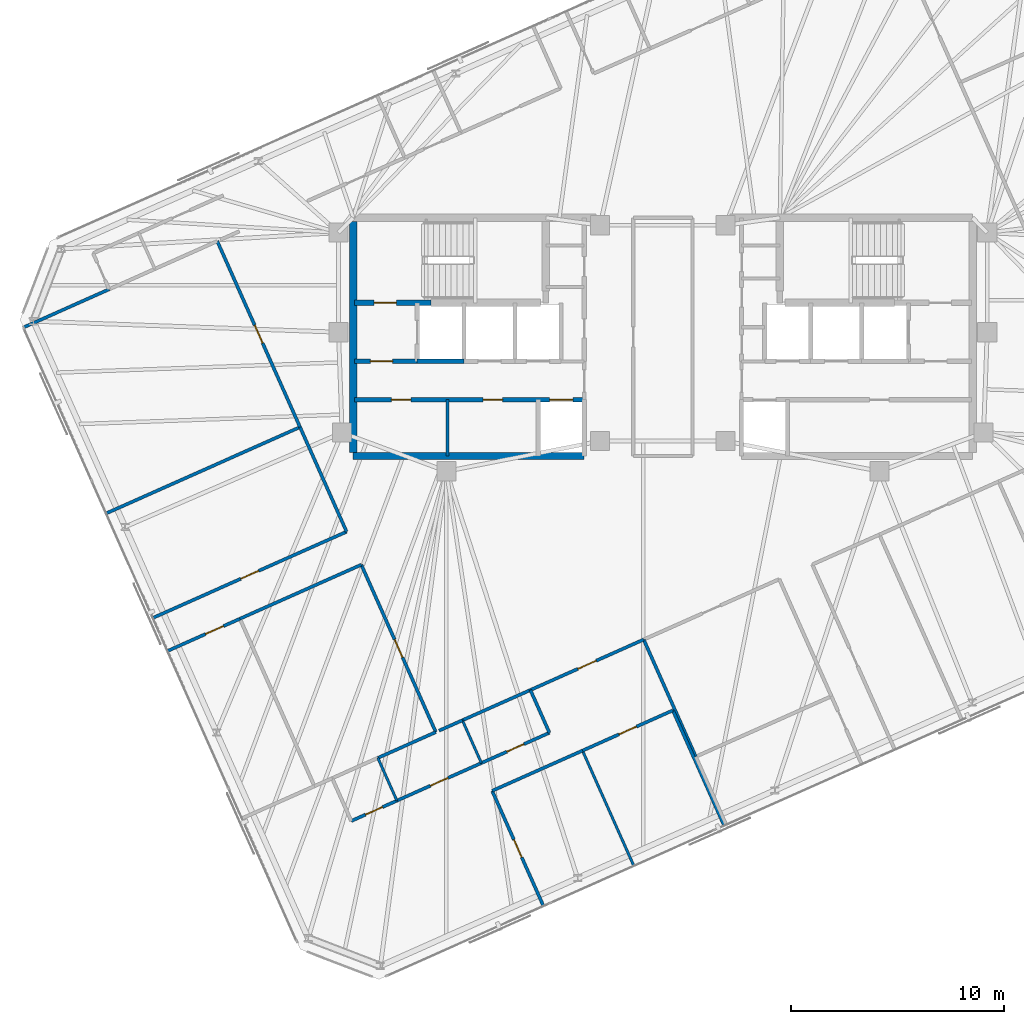
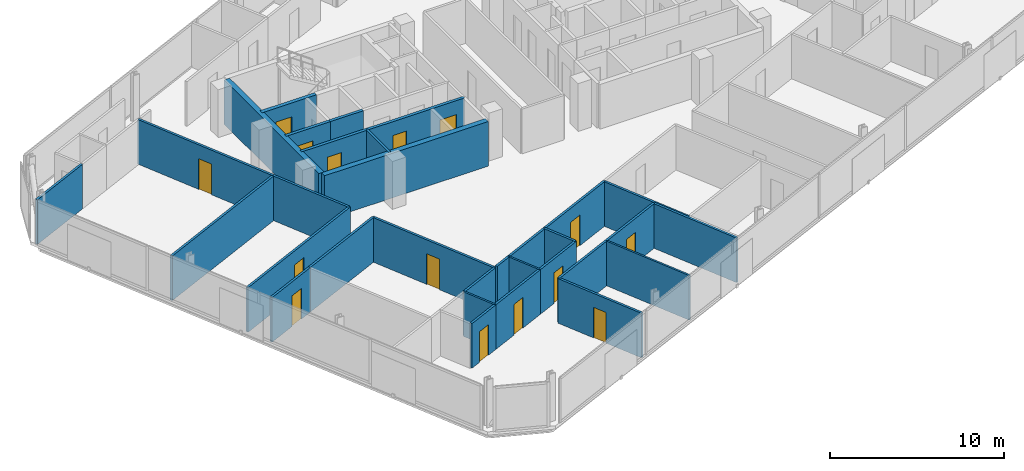
# One storey, part 13 of 18: 31 walls, 15 doors, 15 openings.
"""IFC4 building model written with IfcOpenShell, lengths in metres."""

from ifc_helpers import new_model, si_unit, direction, frame, frame_2d, origin, place, context, subcontext, project, spatial, rectangle, extrude, material, layer, layer_set, type_object, element, fill, save


model = new_model("IFC4")

# Units and contexts
model_context = context("Model", 3, precision=1e-05, world=origin(), true_north=direction((0.0, 1.0)))
body_context = subcontext(model_context, "Body", "Model", "MODEL_VIEW")
ifc_project = project(units=[si_unit("LENGTHUNIT", "METRE"), si_unit("AREAUNIT", "SQUARE_METRE"), si_unit("VOLUMEUNIT", "CUBIC_METRE"), si_unit("PLANEANGLEUNIT", "RADIAN"), si_unit("MASSUNIT", "GRAM", prefix="KILO")], contexts=[model_context])

# Site, building, storey
site_placement = place(None, origin())
site = spatial("IfcSite", under=ifc_project, at=site_placement, CompositionType="ELEMENT")
building_placement = place(site_placement, origin())
building = spatial("IfcBuilding", under=site, at=building_placement, Name="Menara Jurai Vektor", CompositionType="ELEMENT")
storey_placement = place(building_placement, frame((0.0, 0.0, 298.64990234375)))
storey = spatial("IfcBuildingStorey", under=building, at=storey_placement, Name="L80", CompositionType="ELEMENT", Elevation=298.64990234375)

# Wall, opening, door
ifc_material_1 = material(Name="Concrete C40/50", Category="concrete")
ifc_layer_1 = layer(ifc_material_1, 0.25)
ifc_layer_set_1 = layer_set([ifc_layer_1], Name="Concrete C40/50")
wall_type_1 = type_object("IfcWallType", Name="INT-WALL-CORE-250", PredefinedType="STANDARD", material=ifc_layer_set_1)
wall_1_placement = place(storey_placement, frame((-14.5, 1.60009765625, 0.0), z_axis=(0.0, 0.0, 1.0), x_axis=(1.0, 0.0, 0.0)))
wall_1 = element("IfcWall", 1, at=wall_1_placement, inside=storey, type_object=wall_type_1, Name="Interior Wall IW-250 L80", PredefinedType="STANDARD", context=body_context, shape_type="SweptSolid", body=[
    extrude(rectangle(XDim=3.60009765625, YDim=0.25, at=frame_2d((1.800048828125, 0.0))), origin(), (0.0, 0.0, 1.0), 3.125),
])
opening_1_placement = place(wall_1_placement, frame((0.919921875, 0.0, 0.0)))
opening_1 = element("IfcOpeningElement", 2, at=opening_1_placement, cuts=wall_1, Name="Opening D-L80-ST1", PredefinedType="OPENING", context=body_context, shape_type="SweptSolid", body=[
    extrude(rectangle(XDim=1.050048828125, YDim=2.14990234375, at=frame_2d((0.52490234375, 1.074951171875))), frame((0.0, 0.135009765625, 0.0), z_axis=(0.0, -1.0, 0.0), x_axis=(1.0, 0.0, 0.0)), (0.0, 0.0, 1.0), 0.27001953125),
])
ifc_material_2 = material(Name="Fire-Rated Steel Door", Category="steel")
door_type_1 = type_object("IfcDoorType", Name="DR-STAIR-1050", OperationType="NOTDEFINED", PredefinedType="DOOR", material=ifc_material_2)
door_1_placement = place(opening_1_placement, origin())
door_1 = element("IfcDoor", 3, at=door_1_placement, inside=storey, type_object=door_type_1, Name="Exit Stair ST1 Door L80", OperationType="SINGLE_SWING_RIGHT", OverallHeight=2.14990234375, OverallWidth=1.050048828125, PredefinedType="DOOR", context=body_context, shape_type="SweptSolid", body=[
    extrude(rectangle(XDim=1.050048828125, YDim=2.14990234375, at=frame_2d((0.52490234375, 1.074951171875))), frame((0.0, 0.02490234375, 0.0), z_axis=(0.0, -1.0, 0.0), x_axis=(1.0, 0.0, 0.0)), (0.0, 0.0, 1.0), 0.050048828125),
])
fill(opening_1, door_1)

wall_2_placement = place(storey_placement, frame((-14.5, -1.14990234375, 0.0), z_axis=(0.0, 0.0, 1.0), x_axis=(1.0, 0.0, 0.0)))
wall_2 = element("IfcWall", 4, at=wall_2_placement, inside=storey, type_object=wall_type_1, Name="Interior Wall IW-250 L80", PredefinedType="STANDARD", context=body_context, shape_type="SweptSolid", body=[
    extrude(rectangle(XDim=2.949951171875, YDim=0.199951171875, at=frame_2d((1.47509765625, 0.0))), origin(), (0.0, 0.0, 1.0), 3.125),
])
opening_2_placement = place(wall_2_placement, frame((0.75, 0.0, 0.0)))
opening_2 = element("IfcOpeningElement", 5, at=opening_2_placement, cuts=wall_2, Name="Opening D-L80-FFW", PredefinedType="OPENING", context=body_context, shape_type="SweptSolid", body=[
    extrude(rectangle(XDim=1.050048828125, YDim=2.179931640625, at=frame_2d((0.52490234375, 1.08984375))), frame((0.0, 0.10986328125, 0.0), z_axis=(0.0, -1.0, 0.0), x_axis=(1.0, 0.0, 0.0)), (0.0, 0.0, 1.0), 0.219970703125),
])
ifc_material_3 = material(Name="Fire-Rated Timber Door", Category="wood")
door_type_2 = type_object("IfcDoorType", Name="DR-LOBBY-1050", OperationType="NOTDEFINED", PredefinedType="DOOR", material=ifc_material_3)
door_2_placement = place(opening_2_placement, origin())
door_2 = element("IfcDoor", 6, at=door_2_placement, inside=storey, type_object=door_type_2, Name="Fire Lift Lobby Door W L80", OperationType="SINGLE_SWING_RIGHT", OverallHeight=2.179931640625, OverallWidth=1.050048828125, PredefinedType="DOOR", context=body_context, shape_type="SweptSolid", body=[
    extrude(rectangle(XDim=1.050048828125, YDim=2.179931640625, at=frame_2d((0.52490234375, 1.08984375))), frame((0.0, 0.02490234375, 0.0), z_axis=(0.0, -1.0, 0.0), x_axis=(1.0, 0.0, 0.0)), (0.0, 0.0, 1.0), 0.050048828125),
])
fill(opening_2, door_2)

# Walls
wall_3_placement = place(storey_placement, frame((-11.550048828125, -1.14990234375, 0.0), z_axis=(0.0, 0.0, 1.0), x_axis=(1.0, 0.0, 0.0)))
element("IfcWall", 7, at=wall_3_placement, inside=storey, type_object=wall_type_1, Name="Interior Wall IW-250 L80", PredefinedType="STANDARD", context=body_context, shape_type="SweptSolid", body=[
    extrude(rectangle(XDim=2.199951171875, YDim=0.199951171875, at=frame_2d((1.10009765625, 0.0))), origin(), (0.0, 0.0, 1.0), 3.125),
])
ifc_material_4 = material(Name="Gypsum Fireboard Partition", Category="gypsum")
ifc_layer_2 = layer(ifc_material_4, 0.14990234375)
ifc_layer_set_2 = layer_set([ifc_layer_2], Name="Gypsum Fireboard Partition")
wall_type_2 = type_object("IfcWallType", Name="INT-WALL-CORR-150", PredefinedType="PARTITIONING", material=ifc_layer_set_2)
wall_4_placement = place(storey_placement, frame((-10.1201171875, -5.60009765625, 0.0), z_axis=(0.0, 0.0, 1.0), x_axis=(0.0, 1.0, 0.0)))
element("IfcWall", 8, at=wall_4_placement, inside=storey, type_object=wall_type_2, Name="Interior Wall IW-150 L80", PredefinedType="PARTITIONING", context=body_context, shape_type="SweptSolid", body=[
    extrude(rectangle(XDim=2.650146484375, YDim=0.14990234375, at=frame_2d((1.3251953125, 0.0))), origin(), (0.0, 0.0, 1.0), 3.125),
])

# Wall, opening, door
wall_5_placement = place(storey_placement, frame((-6.228515625, -16.602294921875, 0.0), z_axis=(0.0, 0.0, 1.0), x_axis=(0.913550563391, 0.406725175183, 0.0)))
wall_5 = element("IfcWall", 9, at=wall_5_placement, inside=storey, type_object=wall_type_2, Name="Interior Wall IW-150 L80", PredefinedType="PARTITIONING", context=body_context, shape_type="SweptSolid", body=[
    extrude(rectangle(XDim=5.8291015625, YDim=0.14990234375, at=frame_2d((2.91455078125, 0.0))), origin(), (0.0, 0.0, 1.0), 3.125),
])
opening_3_placement = place(wall_5_placement, frame((2.439453125, 0.0, 0.0)))
opening_3 = element("IfcOpeningElement", 10, at=opening_3_placement, cuts=wall_5, Name="Opening D80-16", PredefinedType="OPENING", context=body_context, shape_type="SweptSolid", body=[
    extrude(rectangle(XDim=0.949951171875, YDim=2.14990234375, at=frame_2d((0.47509765625, 1.074951171875))), frame((0.0, 0.0849609375, 0.0), z_axis=(0.0, -1.0, 0.0), x_axis=(1.0, 0.0, 0.0)), (0.0, 0.0, 1.0), 0.169921875),
])
ifc_material_5 = material(Name="Solid Core Timber Fire Door", Category="wood")
door_type_3 = type_object("IfcDoorType", Name="DR-ENTRY-950", OperationType="NOTDEFINED", PredefinedType="DOOR", material=ifc_material_5)
door_3_placement = place(opening_3_placement, origin())
door_3 = element("IfcDoor", 11, at=door_3_placement, inside=storey, type_object=door_type_3, Name="Interior Door D80-16", OperationType="SINGLE_SWING_RIGHT", OverallHeight=2.14990234375, OverallWidth=0.949951171875, PredefinedType="DOOR", context=body_context, shape_type="SweptSolid", body=[
    extrude(rectangle(XDim=0.949951171875, YDim=2.14990234375, at=frame_2d((0.47509765625, 1.074951171875))), frame((0.0, 0.02490234375, 0.0), z_axis=(0.0, -1.0, 0.0), x_axis=(1.0, 0.0, 0.0)), (0.0, 0.0, 1.0), 0.050048828125),
])
fill(opening_3, door_3)

# Walls
wall_6_placement = place(storey_placement, frame((-10.52294921875, -18.514404296875, 0.0), z_axis=(0.0, 0.0, 1.0), x_axis=(0.913534709899, 0.406760782045, 0.0)))
element("IfcWall", 12, at=wall_6_placement, inside=storey, type_object=wall_type_2, Name="Interior Wall IW-150 L80", PredefinedType="PARTITIONING", context=body_context, shape_type="SweptSolid", body=[
    extrude(rectangle(XDim=1.200927734375, YDim=0.14990234375, at=frame_2d((0.6005859375, 0.0))), origin(), (0.0, 0.0, 1.0), 3.125),
])
wall_7_placement = place(storey_placement, frame((-9.42578125, -18.02587890625, 0.0), z_axis=(0.0, 0.0, 1.0), x_axis=(0.913538066796, 0.406753242783, 0.0)))
element("IfcWall", 13, at=wall_7_placement, inside=storey, type_object=wall_type_2, Name="Interior Wall IW-150 L80", PredefinedType="PARTITIONING", context=body_context, shape_type="SweptSolid", body=[
    extrude(rectangle(XDim=3.499755859375, YDim=0.14990234375, at=frame_2d((1.75, 0.0))), origin(), (0.0, 0.0, 1.0), 3.125),
])

# Wall, opening, door
wall_8_placement = place(storey_placement, frame((-23.290283203125, -14.7685546875, 0.0), z_axis=(0.0, 0.0, 1.0), x_axis=(0.913549333679, 0.406727937244, 0.0)))
wall_8 = element("IfcWall", 14, at=wall_8_placement, inside=storey, type_object=wall_type_2, Name="Interior Wall IW-150 L80", PredefinedType="PARTITIONING", context=body_context, shape_type="SweptSolid", body=[
    extrude(rectangle(XDim=3.72705078125, YDim=0.14990234375, at=frame_2d((1.863525390625, 0.0))), origin(), (0.0, 0.0, 1.0), 3.125),
])
opening_4_placement = place(wall_8_placement, frame((1.962646484375, 0.0, 0.0)))
opening_4 = element("IfcOpeningElement", 15, at=opening_4_placement, cuts=wall_8, Name="Opening D80-27", PredefinedType="OPENING", context=body_context, shape_type="SweptSolid", body=[
    extrude(rectangle(XDim=0.919921875, YDim=2.14990234375, at=frame_2d((0.4599609375, 1.074951171875))), frame((0.0, 0.0849609375, 0.0), z_axis=(0.0, -1.0, 0.0), x_axis=(1.0, 0.0, 0.0)), (0.0, 0.0, 1.0), 0.169921875),
])
door_4_placement = place(opening_4_placement, origin())
door_4 = element("IfcDoor", 16, at=door_4_placement, inside=storey, type_object=door_type_3, Name="Interior Door D80-27", OperationType="SINGLE_SWING_LEFT", OverallHeight=2.14990234375, OverallWidth=0.919921875, PredefinedType="DOOR", context=body_context, shape_type="SweptSolid", body=[
    extrude(rectangle(XDim=0.919921875, YDim=2.14990234375, at=frame_2d((0.4599609375, 1.074951171875))), frame((0.0, 0.02490234375, 0.0), z_axis=(0.0, -1.0, 0.0), x_axis=(1.0, 0.0, 0.0)), (0.0, 0.0, 1.0), 0.050048828125),
])
fill(opening_4, door_4)

# Wall
wall_9_placement = place(storey_placement, frame((-19.885498046875, -13.252685546875, 0.0), z_axis=(0.0, 0.0, 1.0), x_axis=(0.913534137923, 0.406762066631, 0.0)))
element("IfcWall", 17, at=wall_9_placement, inside=storey, type_object=wall_type_2, Name="Interior Wall IW-150 L80", PredefinedType="PARTITIONING", context=body_context, shape_type="SweptSolid", body=[
    extrude(rectangle(XDim=6.246826171875, YDim=0.14990234375, at=frame_2d((3.12353515625, 0.0))), origin(), (0.0, 0.0, 1.0), 3.125),
])

# Wall, opening, door
wall_10_placement = place(storey_placement, frame((-10.674560546875, -18.581787109375, 0.0), z_axis=(0.0, 0.0, 1.0), x_axis=(-0.406751025101, 0.913539054217, 0.0)))
wall_10 = element("IfcWall", 18, at=wall_10_placement, inside=storey, type_object=wall_type_2, Name="Interior Wall IW-150 L80", PredefinedType="PARTITIONING", context=body_context, shape_type="SweptSolid", body=[
    extrude(rectangle(XDim=8.614990234375, YDim=0.14990234375, at=frame_2d((4.3076171875, 0.0))), origin(), (0.0, 0.0, 1.0), 3.125),
])
opening_5_placement = place(wall_10_placement, frame((3.847412109375, 0.0, 0.0)))
opening_5 = element("IfcOpeningElement", 19, at=opening_5_placement, cuts=wall_10, Name="Opening D80-28", PredefinedType="OPENING", context=body_context, shape_type="SweptSolid", body=[
    extrude(rectangle(XDim=0.919921875, YDim=2.14990234375, at=frame_2d((0.4599609375, 1.074951171875))), frame((0.0, 0.0849609375, 0.0), z_axis=(0.0, -1.0, 0.0), x_axis=(1.0, 0.0, 0.0)), (0.0, 0.0, 1.0), 0.169921875),
])
door_5_placement = place(opening_5_placement, origin())
door_5 = element("IfcDoor", 20, at=door_5_placement, inside=storey, type_object=door_type_3, Name="Interior Door D80-28", OperationType="SINGLE_SWING_RIGHT", OverallHeight=2.14990234375, OverallWidth=0.919921875, PredefinedType="DOOR", context=body_context, shape_type="SweptSolid", body=[
    extrude(rectangle(XDim=0.919921875, YDim=2.14990234375, at=frame_2d((0.4599609375, 1.074951171875))), frame((0.0, 0.02490234375, 0.0), z_axis=(0.0, -1.0, 0.0), x_axis=(1.0, 0.0, 0.0)), (0.0, 0.0, 1.0), 0.050048828125),
])
fill(opening_5, door_5)

wall_11_placement = place(storey_placement, frame((-23.981689453125, -13.215576171875, 0.0), z_axis=(0.0, 0.0, 1.0), x_axis=(0.913539816318, 0.406749313463, 0.0)))
wall_11 = element("IfcWall", 21, at=wall_11_placement, inside=storey, type_object=wall_type_2, Name="Interior Wall IW-150 L80", PredefinedType="PARTITIONING", context=body_context, shape_type="SweptSolid", body=[
    extrude(rectangle(XDim=9.973876953125, YDim=0.14990234375, at=frame_2d((4.98681640625, 0.0))), origin(), (0.0, 0.0, 1.0), 3.125),
])
opening_6_placement = place(wall_11_placement, frame((4.527099609375, 0.0, 0.0)))
opening_6 = element("IfcOpeningElement", 22, at=opening_6_placement, cuts=wall_11, Name="Opening D80-29", PredefinedType="OPENING", context=body_context, shape_type="SweptSolid", body=[
    extrude(rectangle(XDim=0.919921875, YDim=2.14990234375, at=frame_2d((0.4599609375, 1.074951171875))), frame((0.0, 0.0849609375, 0.0), z_axis=(0.0, -1.0, 0.0), x_axis=(1.0, 0.0, 0.0)), (0.0, 0.0, 1.0), 0.169921875),
])
door_6_placement = place(opening_6_placement, origin())
door_6 = element("IfcDoor", 23, at=door_6_placement, inside=storey, type_object=door_type_3, Name="Interior Door D80-29", OperationType="SINGLE_SWING_LEFT", OverallHeight=2.14990234375, OverallWidth=0.919921875, PredefinedType="DOOR", context=body_context, shape_type="SweptSolid", body=[
    extrude(rectangle(XDim=0.919921875, YDim=2.14990234375, at=frame_2d((0.4599609375, 1.074951171875))), frame((0.0, 0.02490234375, 0.0), z_axis=(0.0, -1.0, 0.0), x_axis=(1.0, 0.0, 0.0)), (0.0, 0.0, 1.0), 0.050048828125),
])
fill(opening_6, door_6)

# Wall
wall_12_placement = place(storey_placement, frame((-14.8701171875, -9.15869140625, 0.0), z_axis=(0.0, 0.0, 1.0), x_axis=(-0.40674435803, 0.913542022685, 0.0)))
element("IfcWall", 24, at=wall_12_placement, inside=storey, type_object=wall_type_2, Name="Interior Wall IW-150 L80", PredefinedType="PARTITIONING", context=body_context, shape_type="SweptSolid", body=[
    extrude(rectangle(XDim=5.3828125, YDim=0.14990234375, at=frame_2d((2.69140625, 0.0))), origin(), (0.0, 0.0, 1.0), 3.125),
])

# Wall, opening, door
wall_13_placement = place(storey_placement, frame((-17.0595703125, -4.2412109375, 0.0), z_axis=(0.0, 0.0, 1.0), x_axis=(-0.406739660141, 0.913544114353, 0.0)))
wall_13 = element("IfcWall", 25, at=wall_13_placement, inside=storey, type_object=wall_type_2, Name="Interior Wall IW-150 L80", PredefinedType="PARTITIONING", context=body_context, shape_type="SweptSolid", body=[
    extrude(rectangle(XDim=9.569091796875, YDim=0.14990234375, at=frame_2d((4.78466796875, 0.0))), origin(), (0.0, 0.0, 1.0), 3.125),
])
opening_7_placement = place(wall_13_placement, frame((4.324462890625, 0.0, 0.0)))
opening_7 = element("IfcOpeningElement", 26, at=opening_7_placement, cuts=wall_13, Name="Opening D80-30", PredefinedType="OPENING", context=body_context, shape_type="SweptSolid", body=[
    extrude(rectangle(XDim=0.919921875, YDim=2.14990234375, at=frame_2d((0.4599609375, 1.074951171875))), frame((0.0, 0.0849609375, 0.0), z_axis=(0.0, -1.0, 0.0), x_axis=(1.0, 0.0, 0.0)), (0.0, 0.0, 1.0), 0.169921875),
])
door_7_placement = place(opening_7_placement, origin())
door_7 = element("IfcDoor", 27, at=door_7_placement, inside=storey, type_object=door_type_3, Name="Interior Door D80-30", OperationType="SINGLE_SWING_RIGHT", OverallHeight=2.14990234375, OverallWidth=0.919921875, PredefinedType="DOOR", context=body_context, shape_type="SweptSolid", body=[
    extrude(rectangle(XDim=0.919921875, YDim=2.14990234375, at=frame_2d((0.4599609375, 1.074951171875))), frame((0.0, 0.02490234375, 0.0), z_axis=(0.0, -1.0, 0.0), x_axis=(1.0, 0.0, 0.0)), (0.0, 0.0, 1.0), 0.050048828125),
])
fill(opening_7, door_7)

# Wall
wall_14_placement = place(storey_placement, frame((-30.063232421875, 0.44384765625, 0.0), z_axis=(0.0, 0.0, 1.0), x_axis=(0.91353516298, 0.40675976448, 0.0)))
element("IfcWall", 28, at=wall_14_placement, inside=storey, type_object=wall_type_2, Name="Interior Wall IW-150 L80", PredefinedType="PARTITIONING", context=body_context, shape_type="SweptSolid", body=[
    extrude(rectangle(XDim=4.410888671875, YDim=0.14990234375, at=frame_2d((2.20556640625, 0.0))), origin(), (0.0, 0.0, 1.0), 3.125),
])

# Wall, opening, door
wall_15_placement = place(storey_placement, frame((-14.651611328125, -22.7607421875, 0.0), z_axis=(0.0, 0.0, 1.0), x_axis=(0.913541436194, 0.406745675276, 0.0)))
wall_15 = element("IfcWall", 29, at=wall_15_placement, inside=storey, type_object=wall_type_2, Name="Interior Wall IW-150 L80", PredefinedType="PARTITIONING", context=body_context, shape_type="SweptSolid", body=[
    extrude(rectangle(XDim=2.349853515625, YDim=0.14990234375, at=frame_2d((1.1748046875, 0.0))), origin(), (0.0, 0.0, 1.0), 3.125),
])
opening_8_placement = place(wall_15_placement, frame((0.735107421875, 0.0, 0.0)))
opening_8 = element("IfcOpeningElement", 30, at=opening_8_placement, cuts=wall_15, Name="Opening D80-17", PredefinedType="OPENING", context=body_context, shape_type="SweptSolid", body=[
    extrude(rectangle(XDim=0.8798828125, YDim=2.14990234375, at=frame_2d((0.43994140625, 1.074951171875))), frame((0.0, 0.0849609375, 0.0), z_axis=(0.0, -1.0, 0.0), x_axis=(1.0, 0.0, 0.0)), (0.0, 0.0, 1.0), 0.169921875),
])
ifc_material_6 = material(Name="Moisture-Resistant Timber Door", Category="wood")
door_type_4 = type_object("IfcDoorType", Name="DR-BATH-880", OperationType="NOTDEFINED", PredefinedType="DOOR", material=ifc_material_6)
door_8_placement = place(opening_8_placement, origin())
door_8 = element("IfcDoor", 31, at=door_8_placement, inside=storey, type_object=door_type_4, Name="Interior Door D80-17", OperationType="SINGLE_SWING_LEFT", OverallHeight=2.14990234375, OverallWidth=0.8798828125, PredefinedType="DOOR", context=body_context, shape_type="SweptSolid", body=[
    extrude(rectangle(XDim=0.8798828125, YDim=2.14990234375, at=frame_2d((0.43994140625, 1.074951171875))), frame((0.0, 0.02490234375, 0.0), z_axis=(0.0, -1.0, 0.0), x_axis=(1.0, 0.0, 0.0)), (0.0, 0.0, 1.0), 0.050048828125),
])
fill(opening_8, door_8)

wall_16_placement = place(storey_placement, frame((-12.5048828125, -21.804931640625, 0.0), z_axis=(0.0, 0.0, 1.0), x_axis=(0.913545193015, 0.406737237438, 0.0)))
wall_16 = element("IfcWall", 32, at=wall_16_placement, inside=storey, type_object=wall_type_2, Name="Interior Wall IW-150 L80", PredefinedType="PARTITIONING", context=body_context, shape_type="SweptSolid", body=[
    extrude(rectangle(XDim=4.349853515625, YDim=0.14990234375, at=frame_2d((2.1748046875, 0.0))), origin(), (0.0, 0.0, 1.0), 3.125),
])
opening_9_placement = place(wall_16_placement, frame((1.72509765625, 0.0, 0.0)))
opening_9 = element("IfcOpeningElement", 33, at=opening_9_placement, cuts=wall_16, Name="Opening D80-18", PredefinedType="OPENING", context=body_context, shape_type="SweptSolid", body=[
    extrude(rectangle(XDim=0.89990234375, YDim=2.14990234375, at=frame_2d((0.449951171875, 1.074951171875))), frame((0.0, 0.0849609375, 0.0), z_axis=(0.0, -1.0, 0.0), x_axis=(1.0, 0.0, 0.0)), (0.0, 0.0, 1.0), 0.169921875),
])
ifc_material_7 = material(Name="Acoustic Timber Interior Door", Category="wood")
door_type_5 = type_object("IfcDoorType", Name="DR-ROOM-900", OperationType="NOTDEFINED", PredefinedType="DOOR", material=ifc_material_7)
door_9_placement = place(opening_9_placement, origin())
door_9 = element("IfcDoor", 34, at=door_9_placement, inside=storey, type_object=door_type_5, Name="Interior Door D80-18", OperationType="SINGLE_SWING_RIGHT", OverallHeight=2.14990234375, OverallWidth=0.89990234375, PredefinedType="DOOR", context=body_context, shape_type="SweptSolid", body=[
    extrude(rectangle(XDim=0.89990234375, YDim=2.14990234375, at=frame_2d((0.449951171875, 1.074951171875))), frame((0.0, 0.02490234375, 0.0), z_axis=(0.0, -1.0, 0.0), x_axis=(1.0, 0.0, 0.0)), (0.0, 0.0, 1.0), 0.050048828125),
])
fill(opening_9, door_9)

wall_17_placement = place(storey_placement, frame((-8.531005859375, -20.03564453125, 0.0), z_axis=(0.0, 0.0, 1.0), x_axis=(0.913549606868, 0.406727323635, 0.0)))
wall_17 = element("IfcWall", 35, at=wall_17_placement, inside=storey, type_object=wall_type_2, Name="Interior Wall IW-150 L80", PredefinedType="PARTITIONING", context=body_context, shape_type="SweptSolid", body=[
    extrude(rectangle(XDim=3.5, YDim=0.14990234375, at=frame_2d((1.75, 0.0))), origin(), (0.0, 0.0, 1.0), 3.125),
])
opening_10_placement = place(wall_17_placement, frame((1.31005859375, 0.0, 0.0)))
opening_10 = element("IfcOpeningElement", 36, at=opening_10_placement, cuts=wall_17, Name="Opening D80-19", PredefinedType="OPENING", context=body_context, shape_type="SweptSolid", body=[
    extrude(rectangle(XDim=0.8798828125, YDim=2.14990234375, at=frame_2d((0.43994140625, 1.074951171875))), frame((0.0, 0.0849609375, 0.0), z_axis=(0.0, -1.0, 0.0), x_axis=(1.0, 0.0, 0.0)), (0.0, 0.0, 1.0), 0.169921875),
])
door_10_placement = place(opening_10_placement, origin())
door_10 = element("IfcDoor", 37, at=door_10_placement, inside=storey, type_object=door_type_4, Name="Interior Door D80-19", OperationType="SINGLE_SWING_LEFT", OverallHeight=2.14990234375, OverallWidth=0.8798828125, PredefinedType="DOOR", context=body_context, shape_type="SweptSolid", body=[
    extrude(rectangle(XDim=0.8798828125, YDim=2.14990234375, at=frame_2d((0.43994140625, 1.074951171875))), frame((0.0, 0.02490234375, 0.0), z_axis=(0.0, -1.0, 0.0), x_axis=(1.0, 0.0, 0.0)), (0.0, 0.0, 1.0), 0.050048828125),
])
fill(opening_10, door_10)

# Wall
wall_18_placement = place(storey_placement, frame((-5.33349609375, -18.612060546875, 0.0), z_axis=(0.0, 0.0, 1.0), x_axis=(-0.406817905151, 0.913509273105, 0.0)))
element("IfcWall", 38, at=wall_18_placement, inside=storey, type_object=wall_type_2, Name="Interior Wall IW-150 L80", PredefinedType="PARTITIONING", context=body_context, shape_type="SweptSolid", body=[
    extrude(rectangle(XDim=2.199951171875, YDim=0.14990234375, at=frame_2d((1.10009765625, 0.0))), origin(), (0.0, 0.0, 1.0), 3.125),
])

# Wall, opening, door
wall_19_placement = place(storey_placement, frame((-5.6123046875, -26.765380859375, 0.0), z_axis=(0.0, 0.0, 1.0), x_axis=(-0.406749048544, 0.913539934271, 0.0)))
wall_19 = element("IfcWall", 39, at=wall_19_placement, inside=storey, type_object=wall_type_2, Name="Interior Wall IW-150 L80", PredefinedType="PARTITIONING", context=body_context, shape_type="SweptSolid", body=[
    extrude(rectangle(XDim=5.93505859375, YDim=0.14990234375, at=frame_2d((2.967529296875, 0.0))), origin(), (0.0, 0.0, 1.0), 3.125),
])
opening_11_placement = place(wall_19_placement, frame((2.517578125, 0.0, 0.0)))
opening_11 = element("IfcOpeningElement", 40, at=opening_11_placement, cuts=wall_19, Name="Opening D80-20", PredefinedType="OPENING", context=body_context, shape_type="SweptSolid", body=[
    extrude(rectangle(XDim=0.89990234375, YDim=2.14990234375, at=frame_2d((0.449951171875, 1.074951171875))), frame((0.0, 0.0849609375, 0.0), z_axis=(0.0, -1.0, 0.0), x_axis=(1.0, 0.0, 0.0)), (0.0, 0.0, 1.0), 0.169921875),
])
door_11_placement = place(opening_11_placement, origin())
door_11 = element("IfcDoor", 41, at=door_11_placement, inside=storey, type_object=door_type_5, Name="Interior Door D80-20", OperationType="SINGLE_SWING_RIGHT", OverallHeight=2.14990234375, OverallWidth=0.89990234375, PredefinedType="DOOR", context=body_context, shape_type="SweptSolid", body=[
    extrude(rectangle(XDim=0.89990234375, YDim=2.14990234375, at=frame_2d((0.449951171875, 1.074951171875))), frame((0.0, 0.02490234375, 0.0), z_axis=(0.0, -1.0, 0.0), x_axis=(1.0, 0.0, 0.0)), (0.0, 0.0, 1.0), 0.050048828125),
])
fill(opening_11, door_11)

# Wall
wall_20_placement = place(storey_placement, frame((-8.0263671875, -21.343505859375, 0.0), z_axis=(0.0, 0.0, 1.0), x_axis=(0.91354505039, 0.40673755778, 0.0)))
element("IfcWall", 42, at=wall_20_placement, inside=storey, type_object=wall_type_2, Name="Interior Wall IW-150 L80", PredefinedType="PARTITIONING", context=body_context, shape_type="SweptSolid", body=[
    extrude(rectangle(XDim=4.650146484375, YDim=0.14990234375, at=frame_2d((2.3251953125, 0.0))), origin(), (0.0, 0.0, 1.0), 3.125),
])

# Wall, opening, door
wall_21_placement = place(storey_placement, frame((-3.7783203125, -19.4521484375, 0.0), z_axis=(0.0, 0.0, 1.0), x_axis=(0.913536363976, 0.406757067172, 0.0)))
wall_21 = element("IfcWall", 43, at=wall_21_placement, inside=storey, type_object=wall_type_2, Name="Interior Wall IW-150 L80", PredefinedType="PARTITIONING", context=body_context, shape_type="SweptSolid", body=[
    extrude(rectangle(XDim=4.64990234375, YDim=0.14990234375, at=frame_2d((2.324951171875, 0.0))), origin(), (0.0, 0.0, 1.0), 3.125),
])
opening_12_placement = place(wall_21_placement, frame((1.875, 0.0, 0.0)))
opening_12 = element("IfcOpeningElement", 44, at=opening_12_placement, cuts=wall_21, Name="Opening D80-21", PredefinedType="OPENING", context=body_context, shape_type="SweptSolid", body=[
    extrude(rectangle(XDim=0.89990234375, YDim=2.14990234375, at=frame_2d((0.449951171875, 1.074951171875))), frame((0.0, 0.0849609375, 0.0), z_axis=(0.0, -1.0, 0.0), x_axis=(1.0, 0.0, 0.0)), (0.0, 0.0, 1.0), 0.169921875),
])
door_12_placement = place(opening_12_placement, origin())
door_12 = element("IfcDoor", 45, at=door_12_placement, inside=storey, type_object=door_type_5, Name="Interior Door D80-21", OperationType="SINGLE_SWING_LEFT", OverallHeight=2.14990234375, OverallWidth=0.89990234375, PredefinedType="DOOR", context=body_context, shape_type="SweptSolid", body=[
    extrude(rectangle(XDim=0.89990234375, YDim=2.14990234375, at=frame_2d((0.449951171875, 1.074951171875))), frame((0.0, 0.02490234375, 0.0), z_axis=(0.0, -1.0, 0.0), x_axis=(1.0, 0.0, 0.0)), (0.0, 0.0, 1.0), 0.050048828125),
])
fill(opening_12, door_12)

# Walls
wall_22_placement = place(storey_placement, frame((2.883544921875, -22.98291015625, 0.0), z_axis=(0.0, 0.0, 1.0), x_axis=(-0.406733763825, 0.913546739562, 0.0)))
element("IfcWall", 46, at=wall_22_placement, inside=storey, type_object=wall_type_2, Name="Interior Wall IW-150 L80", PredefinedType="PARTITIONING", context=body_context, shape_type="SweptSolid", body=[
    extrude(rectangle(XDim=5.935302734375, YDim=0.14990234375, at=frame_2d((2.9677734375, 0.0))), origin(), (0.0, 0.0, 1.0), 3.125),
])
wall_23_placement = place(storey_placement, frame((1.547607421875, -19.736572265625, 0.0), z_axis=(0.0, 0.0, 1.0), x_axis=(-0.406721034708, 0.913552406776, 0.0)))
element("IfcWall", 47, at=wall_23_placement, inside=storey, type_object=wall_type_2, Name="Interior Wall IW-150 L80", PredefinedType="PARTITIONING", context=body_context, shape_type="SweptSolid", body=[
    extrude(rectangle(XDim=6.026123046875, YDim=0.14990234375, at=frame_2d((3.01318359375, 0.0))), origin(), (0.0, 0.0, 1.0), 3.125),
])
wall_24_placement = place(storey_placement, frame((-13.399658203125, -19.795166015625, 0.0), z_axis=(0.0, 0.0, 1.0), x_axis=(0.913534588088, 0.406761055617, 0.0)))
element("IfcWall", 48, at=wall_24_placement, inside=storey, type_object=wall_type_2, Name="Interior Wall IW-150 L80", PredefinedType="PARTITIONING", context=body_context, shape_type="SweptSolid", body=[
    extrude(rectangle(XDim=2.98291015625, YDim=0.14990234375, at=frame_2d((1.491455078125, 0.0))), origin(), (0.0, 0.0, 1.0), 3.125),
])
wall_25_placement = place(storey_placement, frame((-26.171142578125, -8.2978515625, 0.0), z_axis=(0.0, 0.0, 1.0), x_axis=(0.91354891172, 0.406728885002, 0.0)))
element("IfcWall", 49, at=wall_25_placement, inside=storey, type_object=wall_type_2, Name="Interior Wall IW-150 L80", PredefinedType="PARTITIONING", context=body_context, shape_type="SweptSolid", body=[
    extrude(rectangle(XDim=9.973876953125, YDim=0.14990234375, at=frame_2d((4.98681640625, 0.0))), origin(), (0.0, 0.0, 1.0), 3.125),
])
ifc_material_8 = material(Name="Gypsum Acoustic Stud Partition", Category="gypsum")
ifc_layer_3 = layer(ifc_material_8, 0.1201171875)
ifc_layer_set_3 = layer_set([ifc_layer_3], Name="Gypsum Acoustic Stud Partition")
wall_type_3 = type_object("IfcWallType", Name="INT-WALL-PART-120", PredefinedType="PARTITIONING", material=ifc_layer_set_3)
for number, where, z_axis, x_axis, name in (
    (50, (-12.5048828125, -21.804931640625, 0.0), (0.0, 0.0, 1.0), (-0.406725294076, 0.913550510459, 0.0), "Interior Wall IW-120 L80"),
    (51, (-8.531005859375, -20.03564453125, 0.0), (0.0, 0.0, 1.0), (-0.406725294076, 0.913550510459, 0.0), "Interior Wall IW-120 L80"),
):
    element("IfcWall", number, at=place(storey_placement, frame(where, z_axis=z_axis, x_axis=x_axis)), inside=storey, type_object=wall_type_3, Name=name, PredefinedType="PARTITIONING", context=body_context, shape_type="SweptSolid", body=[
        extrude(rectangle(XDim=2.199951171875, YDim=0.1201171875, at=frame_2d((1.10009765625, 0.0))), origin(), (0.0, 0.0, 1.0), 3.125),
    ])
wall_26_placement = place(storey_placement, frame((-1.364501953125, -24.8740234375, 0.0), z_axis=(0.0, 0.0, 1.0), x_axis=(-0.406714717734, 0.913555219119, 0.0)))
element("IfcWall", 52, at=wall_26_placement, inside=storey, type_object=wall_type_3, Name="Interior Wall IW-120 L80", PredefinedType="PARTITIONING", context=body_context, shape_type="SweptSolid", body=[
    extrude(rectangle(XDim=5.934814453125, YDim=0.1201171875, at=frame_2d((2.96728515625, 0.0))), origin(), (0.0, 0.0, 1.0), 3.125),
])

# Wall, openings, doors
ifc_layer_4 = layer(ifc_material_1, 0.199951171875)
ifc_layer_set_4 = layer_set([ifc_layer_4], Name="Concrete C40/50")
wall_type_4 = type_object("IfcWallType", Name="INT-WALL-SHAFT-200", PredefinedType="STANDARD", material=ifc_layer_set_4)
wall_27_placement = place(storey_placement, frame((-14.5, -2.949951171875, 0.0), z_axis=(0.0, 0.0, 1.0), x_axis=(1.0, 0.0, 0.0)))
wall_27 = element("IfcWall", 53, at=wall_27_placement, inside=storey, type_object=wall_type_4, Name="Interior Wall IW-200 L80", PredefinedType="STANDARD", context=body_context, shape_type="SweptSolid", body=[
    extrude(rectangle(XDim=10.800048828125, YDim=0.199951171875, at=frame_2d((5.39990234375, 0.0))), origin(), (0.0, 0.0, 1.0), 3.125),
])
opening_13_placement = place(wall_27_placement, frame((9.169921875, 0.0, 0.0)))
opening_13 = element("IfcOpeningElement", 54, at=opening_13_placement, cuts=wall_27, Name="Opening LD-L80-PH1", PredefinedType="OPENING", context=body_context, shape_type="SweptSolid", body=[
    extrude(rectangle(XDim=1.10009765625, YDim=2.14990234375, at=frame_2d((0.550048828125, 1.074951171875))), frame((0.0, 0.10986328125, 0.0), z_axis=(0.0, -1.0, 0.0), x_axis=(1.0, 0.0, 0.0)), (0.0, 0.0, 1.0), 0.219970703125),
])
opening_14_placement = place(wall_27_placement, frame((1.72998046875, 0.0, 0.0)))
opening_14 = element("IfcOpeningElement", 55, at=opening_14_placement, cuts=wall_27, Name="Opening D80-01", PredefinedType="OPENING", context=body_context, shape_type="SweptSolid", body=[
    extrude(rectangle(XDim=0.919921875, YDim=2.14990234375, at=frame_2d((0.4599609375, 1.074951171875))), frame((0.0, 0.10986328125, 0.0), z_axis=(0.0, -1.0, 0.0), x_axis=(1.0, 0.0, 0.0)), (0.0, 0.0, 1.0), 0.219970703125),
])
opening_15_placement = place(wall_27_placement, frame((6.050048828125, 0.0, 0.0)))
opening_15 = element("IfcOpeningElement", 56, at=opening_15_placement, cuts=wall_27, Name="Opening D80-02", PredefinedType="OPENING", context=body_context, shape_type="SweptSolid", body=[
    extrude(rectangle(XDim=0.919921875, YDim=2.14990234375, at=frame_2d((0.4599609375, 1.074951171875))), frame((0.0, 0.10986328125, 0.0), z_axis=(0.0, -1.0, 0.0), x_axis=(1.0, 0.0, 0.0)), (0.0, 0.0, 1.0), 0.219970703125),
])
door_13_placement = place(opening_14_placement, origin())
door_13 = element("IfcDoor", 57, at=door_13_placement, inside=storey, type_object=door_type_3, Name="Interior Door D80-01", OperationType="SINGLE_SWING_LEFT", OverallHeight=2.14990234375, OverallWidth=0.919921875, PredefinedType="DOOR", context=body_context, shape_type="SweptSolid", body=[
    extrude(rectangle(XDim=0.919921875, YDim=2.14990234375, at=frame_2d((0.4599609375, 1.074951171875))), frame((0.0, 0.02490234375, 0.0), z_axis=(0.0, -1.0, 0.0), x_axis=(1.0, 0.0, 0.0)), (0.0, 0.0, 1.0), 0.050048828125),
])
fill(opening_14, door_13)
door_14_placement = place(opening_15_placement, origin())
door_14 = element("IfcDoor", 58, at=door_14_placement, inside=storey, type_object=door_type_3, Name="Interior Door D80-02", OperationType="SINGLE_SWING_RIGHT", OverallHeight=2.14990234375, OverallWidth=0.919921875, PredefinedType="DOOR", context=body_context, shape_type="SweptSolid", body=[
    extrude(rectangle(XDim=0.919921875, YDim=2.14990234375, at=frame_2d((0.4599609375, 1.074951171875))), frame((0.0, 0.02490234375, 0.0), z_axis=(0.0, -1.0, 0.0), x_axis=(1.0, 0.0, 0.0)), (0.0, 0.0, 1.0), 0.050048828125),
])
fill(opening_15, door_14)
ifc_material_9 = material(Name="Anodised Stainless Sliding Lift Landing Door", Category="steel")
door_type_6 = type_object("IfcDoorType", Name="DR-LIFT-PASS-1100", OperationType="NOTDEFINED", PredefinedType="DOOR", material=ifc_material_9)
door_15_placement = place(opening_13_placement, origin())
door_15 = element("IfcDoor", 59, at=door_15_placement, inside=storey, type_object=door_type_6, Name="Lift Landing Door PH1 L80", OperationType="SLIDING_TO_RIGHT", OverallHeight=2.14990234375, OverallWidth=1.10009765625, PredefinedType="DOOR", context=body_context, shape_type="SweptSolid", body=[
    extrude(rectangle(XDim=1.10009765625, YDim=2.14990234375, at=frame_2d((0.550048828125, 1.074951171875))), frame((0.0, 0.02490234375, 0.0), z_axis=(0.0, -1.0, 0.0), x_axis=(1.0, 0.0, 0.0)), (0.0, 0.0, 1.0), 0.050048828125),
])
fill(opening_13, door_15)

# Walls
ifc_material_10 = material(Name="Concrete C50/60", Category="concrete")
ifc_layer_5 = layer(ifc_material_10, 0.35009765625)
ifc_layer_set_5 = layer_set([ifc_layer_5], Name="Concrete C50/60")
wall_type_5 = type_object("IfcWallType", Name="STR-WALL-CORE350", PredefinedType="SHEAR", material=ifc_layer_set_5)
wall_28_placement = place(storey_placement, frame((-14.56005859375, -5.60009765625, 0.0), z_axis=(0.0, 0.0, 1.0), x_axis=(1.0, 0.0, 0.0)))
element("IfcWall", 60, at=wall_28_placement, inside=storey, type_object=wall_type_5, Name="Core Shear Wall CW-W-S L80", PredefinedType="SHEAR", context=body_context, shape_type="SweptSolid", body=[
    extrude(rectangle(XDim=10.860107421875, YDim=0.35009765625, at=frame_2d((5.43017578125, 0.0))), origin(), (0.0, 0.0, 1.0), 3.125),
])
wall_29_placement = place(storey_placement, frame((-14.56005859375, -5.425048828125, 0.0), z_axis=(0.0, 0.0, 1.0), x_axis=(0.0, 1.0, 0.0)))
element("IfcWall", 61, at=wall_29_placement, inside=storey, type_object=wall_type_5, Name="Core Shear Wall CW-W-W L80", PredefinedType="SHEAR", context=body_context, shape_type="SweptSolid", body=[
    extrude(rectangle(XDim=10.85009765625, YDim=0.35009765625, at=frame_2d((5.425048828125, 0.0))), origin(), (0.0, 0.0, 1.0), 3.125),
])

save(model, "model.ifc")
